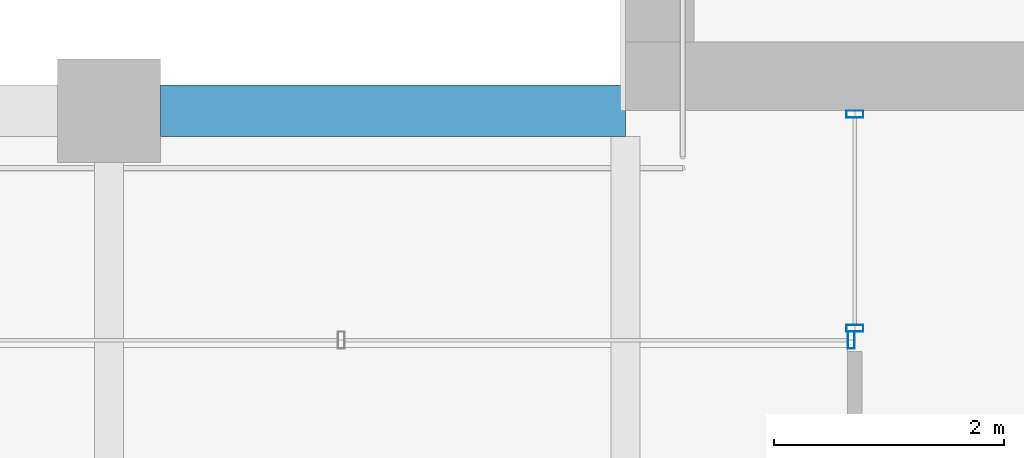
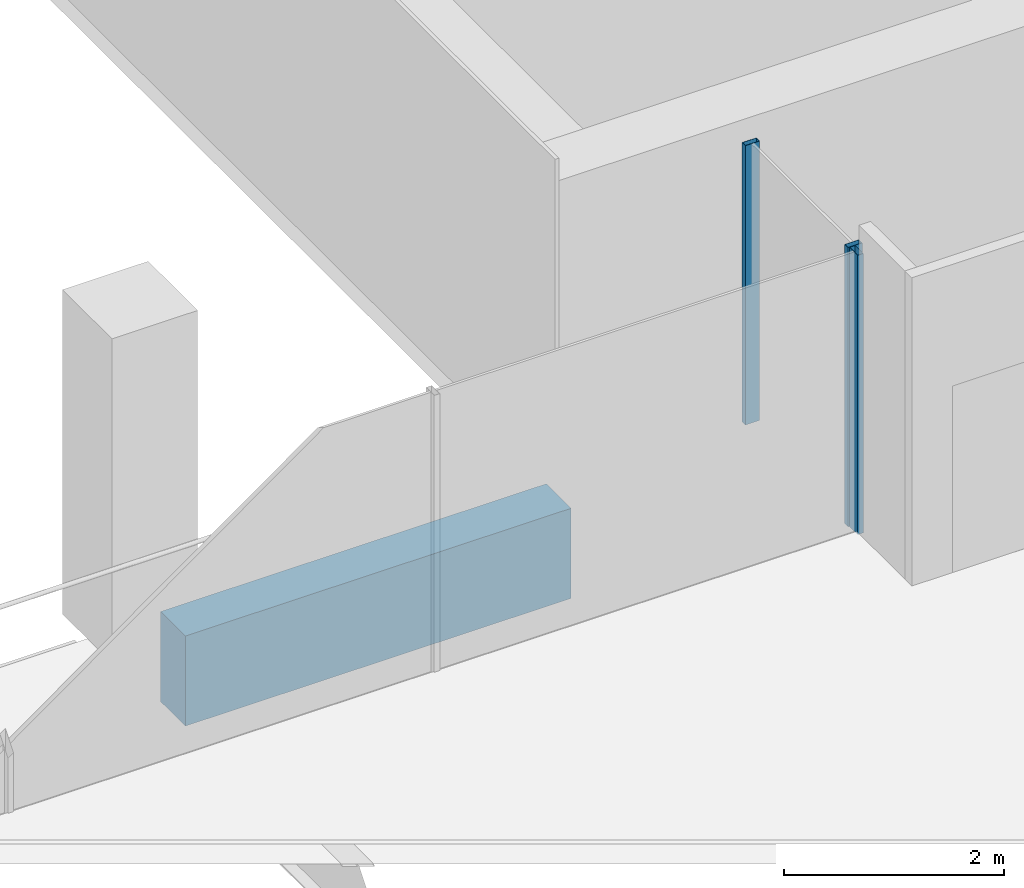
# One storey, part 6 of 40: 3 members, 1 beam, 2 elements without a shape of their own.
"""IFC4 building model written with IfcOpenShell, lengths in metres."""

from ifc_helpers import new_model, si_unit, direction, frame, origin, origin_2d, place, context, subcontext, project, spatial, rectangle, hollow_rectangle, extrude, material, material_profile, profile_set, type_object, element, aggregate, save


model = new_model("IFC4")

# Units and contexts
model_context = context("Model", 3, precision=1e-05, world=origin(), true_north=direction((0.0, 1.0)))
body_context = subcontext(model_context, "Body", "Model", "MODEL_VIEW")
ifc_project = project(units=[si_unit("LENGTHUNIT", "METRE"), si_unit("AREAUNIT", "SQUARE_METRE"), si_unit("VOLUMEUNIT", "CUBIC_METRE"), si_unit("PLANEANGLEUNIT", "RADIAN"), si_unit("MASSUNIT", "GRAM", prefix="KILO")], contexts=[model_context])

# Site, building, storey
site_placement = place(None, origin())
site = spatial("IfcSite", under=ifc_project, at=site_placement, CompositionType="ELEMENT")
building_placement = place(site_placement, origin())
building = spatial("IfcBuilding", under=site, at=building_placement, Name="Altepetl Exchange Towers", CompositionType="ELEMENT")
storey_placement = place(building_placement, frame((0.0, 0.0, 183.39990234375)))
storey = spatial("IfcBuildingStorey", under=building, at=storey_placement, Name="L46", CompositionType="ELEMENT", Elevation=183.39990234375)

# Curtain wall, members
ifc_material_1 = material(Name="Aluminium 6063-T6 glazing", Category="aluminium")
curtain_wall_type = type_object("IfcCurtainWallType", Name="Loggia glazing system", PredefinedType="NOTDEFINED", material=ifc_material_1)
curtain_wall_1_placement = place(storey_placement, origin())
curtain_wall_1 = element("IfcCurtainWall", 1, at=curtain_wall_1_placement, inside=storey, type_object=curtain_wall_type, Name="CW1 run", PredefinedType="NOTDEFINED")
ifc_material_2 = material(Name="Aluminium 6063-T6", Category="aluminium")
ifc_material_profile_1 = material_profile(ifc_material_2, hollow_rectangle(XDim=0.06005859375, YDim=0.14990234375, WallThickness=0.0029296875, at=origin_2d()), Name="Mullion 60x150 aluminium")
ifc_profile_set_1 = profile_set([ifc_material_profile_1], Name="Aluminium 6063-T6")
member_type = type_object("IfcMemberType", Name="Mullion 60x150 aluminium", PredefinedType="MULLION", material=ifc_profile_set_1)
member_1_placement = place(storey_placement, frame((42.5, 40.469970703125, 0.0), z_axis=(0.0, 0.0, 1.0), x_axis=(0.0, -1.0, 0.0)))
member_1 = element("IfcMember", 2, at=member_1_placement, type_object=member_type, Name="MU1 mullion", PredefinedType="MULLION", context=body_context, shape_type="SweptSolid", body=[
    extrude(hollow_rectangle(XDim=0.06005859375, YDim=0.14990234375, WallThickness=0.0029296875, at=origin_2d()), origin(), (0.0, 0.0, 1.0), 3.10009765625),
])
member_2_placement = place(storey_placement, frame((42.5, 38.60498046875, 0.0), z_axis=(0.0, 0.0, 1.0), x_axis=(0.0, -1.0, 0.0)))
member_2 = element("IfcMember", 3, at=member_2_placement, type_object=member_type, Name="MU1 mullion", PredefinedType="MULLION", context=body_context, shape_type="SweptSolid", body=[
    extrude(hollow_rectangle(XDim=0.06005859375, YDim=0.14990234375, WallThickness=0.0029296875, at=origin_2d()), origin(), (0.0, 0.0, 1.0), 3.10009765625),
])
aggregate(curtain_wall_1, [member_1, member_2])

# Curtain wall, member
curtain_wall_2_placement = place(storey_placement, origin())
curtain_wall_2 = element("IfcCurtainWall", 4, at=curtain_wall_2_placement, inside=storey, type_object=curtain_wall_type, Name="CW1 run", PredefinedType="NOTDEFINED")
member_3_placement = place(storey_placement, frame((42.469970703125, 38.5, 0.0), z_axis=(0.0, 0.0, 1.0), x_axis=(-1.0, 0.0, 0.0)))
member_3 = element("IfcMember", 5, at=member_3_placement, type_object=member_type, Name="MU1 mullion", PredefinedType="MULLION", context=body_context, shape_type="SweptSolid", body=[
    extrude(hollow_rectangle(XDim=0.06005859375, YDim=0.14990234375, WallThickness=0.0029296875, at=origin_2d()), origin(), (0.0, 0.0, 1.0), 3.10009765625),
])
aggregate(curtain_wall_2, [member_3])

# Beam
ifc_material_3 = material(Name="Concrete C50/60 precast with tezontle facing", Category="concrete")
ifc_material_profile_2 = material_profile(ifc_material_3, rectangle(XDim=0.449951171875, YDim=1.0, at=origin_2d()), Name="450 x 1000")
ifc_profile_set_2 = profile_set([ifc_material_profile_2], Name="Concrete C50/60 precast with tezontle facing")
beam_type = type_object("IfcBeamType", Name="Spandrel beam 450x1000 tezontle", PredefinedType="SPANDREL", material=ifc_profile_set_2)
beam_placement = place(storey_placement, frame((40.5, 40.5, -0.64990234375), z_axis=(-1.0, 0.0, 0.0), x_axis=(0.0, -1.0, 0.0)))
element("IfcBeam", 6, at=beam_placement, inside=storey, type_object=beam_type, Name="sp:A:L46:033", PredefinedType="SPANDREL", context=body_context, shape_type="SweptSolid", body=[
    extrude(rectangle(XDim=0.449951171875, YDim=1.0, at=origin_2d()), origin(), (0.0, 0.0, 1.0), 4.050048828125),
])

save(model, "model.ifc")
